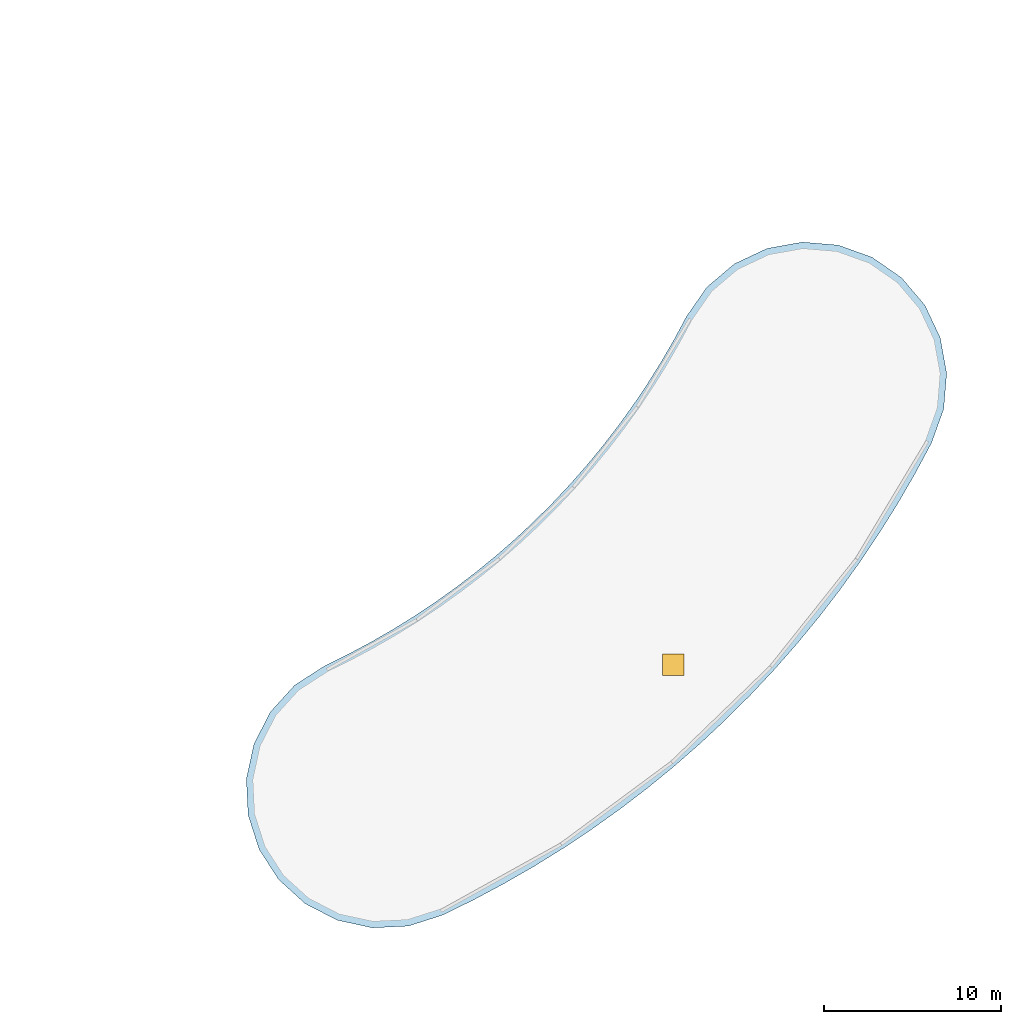
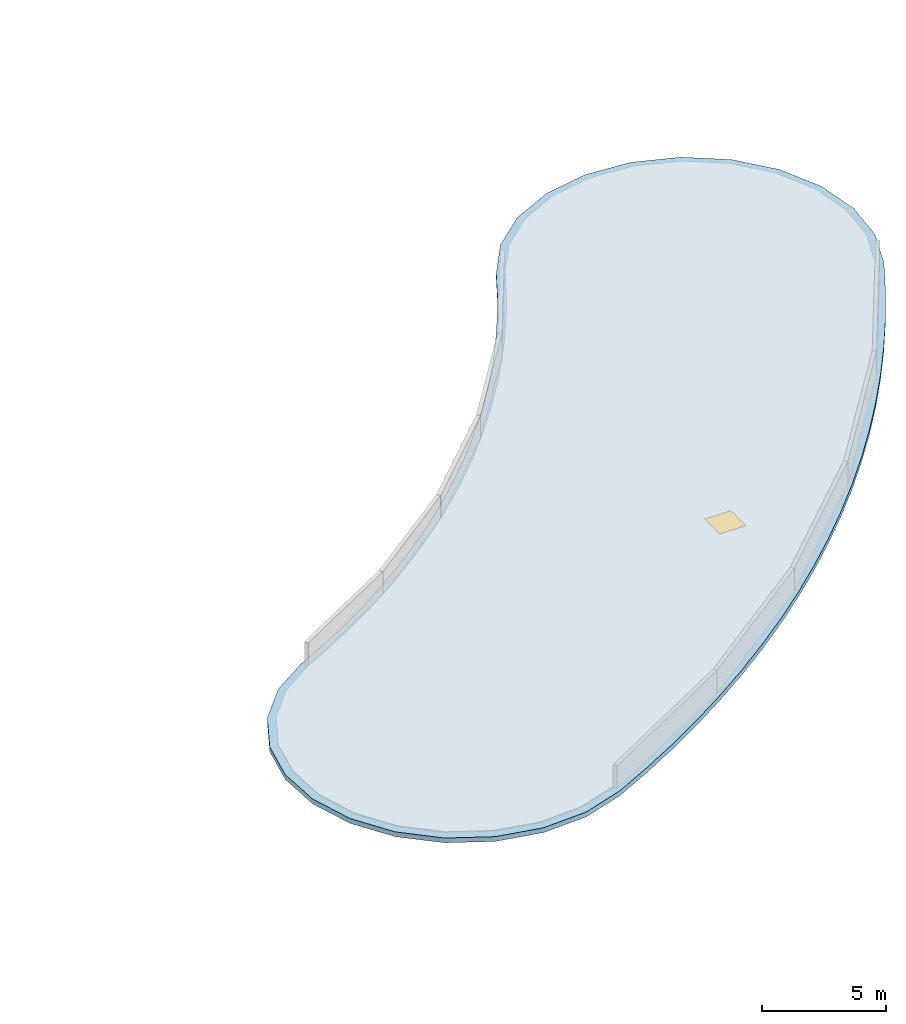
"""IFC4 building model written with IfcOpenShell, lengths in metres."""

from ifc_helpers import new_model, si_unit, direction, frame, origin, origin_2d, place, context, subcontext, project, spatial, polyline, rectangle, outline, extrude, material, layer, layer_set, type_object, element, fill, save


model = new_model("IFC4")

# Units and contexts
model_context = context("Model", 3, precision=1e-05, world=origin(), true_north=direction((0.0, 1.0)))
body_context = subcontext(model_context, "Body", "Model", "MODEL_VIEW")
ifc_project = project(units=[si_unit("LENGTHUNIT", "METRE"), si_unit("AREAUNIT", "SQUARE_METRE"), si_unit("VOLUMEUNIT", "CUBIC_METRE"), si_unit("PLANEANGLEUNIT", "RADIAN"), si_unit("MASSUNIT", "GRAM", prefix="KILO")], contexts=[model_context])

# Site, building, storey
site_placement = place(None, origin())
site = spatial("IfcSite", under=ifc_project, at=site_placement, CompositionType="ELEMENT")
building_placement = place(site_placement, origin())
building = spatial("IfcBuilding", under=site, at=building_placement, Name="Tanwirah Colonnade Gardens", CompositionType="ELEMENT")
storey_1_placement = place(building_placement, frame((0.0, 0.0, 32.360107421875)))
storey_1 = spatial("IfcBuildingStorey", under=building, at=storey_1_placement, Name="L09", CompositionType="ELEMENT", Elevation=32.360107421875)

# Slab, opening
ifc_material_1 = material(Name="Precast concrete C45/55", Category="concrete")
ifc_layer = layer(ifc_material_1, 0.235107421875)
ifc_layer_set = layer_set([ifc_layer], Name="Precast concrete C45/55")
slab_type = type_object("IfcSlabType", Name="RF-RES-235", PredefinedType="ROOF", material=ifc_layer_set)
slab_placement = place(storey_1_placement, frame((0.0, 0.0, -0.235107421875)))
slab = element("IfcSlab", 1, at=slab_placement, inside=storey_1, type_object=slab_type, Name="Block D Main Precast Roof Slab", PredefinedType="ROOF", context=body_context, shape_type="SweptSolid", body=[
    extrude(outline(polyline([(138.141845703125, 23.421630859375), (136.772705078125, 21.914306640625), (135.84033203125, 20.10400390625), (135.408447265625, 18.1142578125), (135.506103515625, 16.080322265625), (136.126708984375, 14.14111328125), (137.228271484375, 12.428466796875), (138.735595703125, 11.0595703125), (140.5458984375, 10.127197265625), (142.53564453125, 9.695068359375), (144.569580078125, 9.792724609375), (146.5087890625, 10.41357421875), (148.264892578125, 11.277099609375), (149.99169921875, 12.19775390625), (151.687255859375, 13.17431640625), (153.350341796875, 14.205810546875), (154.978515625, 15.291259765625), (156.5703125, 16.429443359375), (158.124267578125, 17.618896484375), (159.63818359375, 18.858642578125), (161.11083984375, 20.1474609375), (162.54052734375, 21.4833984375), (163.92578125, 22.86572265625), (165.26513671875, 24.29248046875), (166.556884765625, 25.76220703125), (167.800048828125, 27.273681640625), (168.992919921875, 28.82470703125), (170.134521484375, 30.414306640625), (171.223388671875, 32.0400390625), (172.258544921875, 33.70068359375), (173.23876953125, 35.394287109375), (174.163330078125, 37.119140625), (174.851318359375, 39.03564453125), (175.02001953125, 41.064697265625), (174.657470703125, 43.068603515625), (173.7890625, 44.91015625), (172.473388671875, 46.46435546875), (170.80029296875, 47.625), (168.8837890625, 48.31298828125), (166.854736328125, 48.481689453125), (164.850830078125, 48.119140625), (163.00927734375, 47.250732421875), (161.455078125, 45.93505859375), (160.294677734375, 44.261962890625), (159.611328125, 42.987060546875), (158.88671875, 41.7353515625), (158.12158203125, 40.5078125), (157.31689453125, 39.30615234375), (156.47314453125, 38.13134765625), (155.59130859375, 36.98486328125), (154.672607421875, 35.86767578125), (153.717529296875, 34.781494140625), (152.727783203125, 33.726806640625), (151.703857421875, 32.705078125), (150.647216796875, 31.717529296875), (149.55859375, 30.76513671875), (148.439697265625, 29.848876953125), (147.291259765625, 28.969482421875), (146.114501953125, 28.12841796875), (144.9111328125, 27.326171875), (143.681884765625, 26.563720703125), (142.428466796875, 25.841796875), (141.15234375, 25.161376953125), (139.854248046875, 24.523193359375), (138.141845703125, 23.421630859375)])), origin(), (0.0, 0.0, 1.0), 0.235107421875),
])
opening_placement = place(slab_placement, frame((159.553466796875, 24.57666015625, -0.010009765625)))
opening = element("IfcOpeningElement", 2, at=opening_placement, cuts=slab, Name="Opening SKY-HAT1", PredefinedType="OPENING", context=body_context, shape_type="SweptSolid", body=[
    extrude(rectangle(XDim=1.199951171875, YDim=1.199951171875, at=origin_2d()), origin(), (0.0, 0.0, 1.0), 0.255126953125),
])

# Storey
storey_2_placement = place(building_placement, frame((0.0, 0.0, 29.0)))
storey_2 = spatial("IfcBuildingStorey", under=building, at=storey_2_placement, Name="L08", CompositionType="ELEMENT", Elevation=29.0)

# Window
ifc_material_2 = material(Name="Thermally broken bronze aluminium and solar low-E double glazing", Category="aluminium")
window_type = type_object("IfcWindowType", Name="SKY-HAT1", PartitioningType="SINGLE_PANEL", PredefinedType="SKYLIGHT", material=ifc_material_2)
window_placement = place(slab_placement, frame((159.553466796875, 24.57666015625, 0.18505859375)))
window = element("IfcWindow", 3, at=window_placement, inside=storey_2, type_object=window_type, Name="Block D Roof Access Skylight Hatch", OverallHeight=1.199951171875, OverallWidth=1.199951171875, PartitioningType="SINGLE_PANEL", PredefinedType="SKYLIGHT", context=body_context, shape_type="SweptSolid", body=[
    extrude(rectangle(XDim=1.199951171875, YDim=1.199951171875, at=origin_2d()), origin(), (0.0, 0.0, 1.0), 0.050048828125),
])

fill(opening, window)

save(model, "model.ifc")
